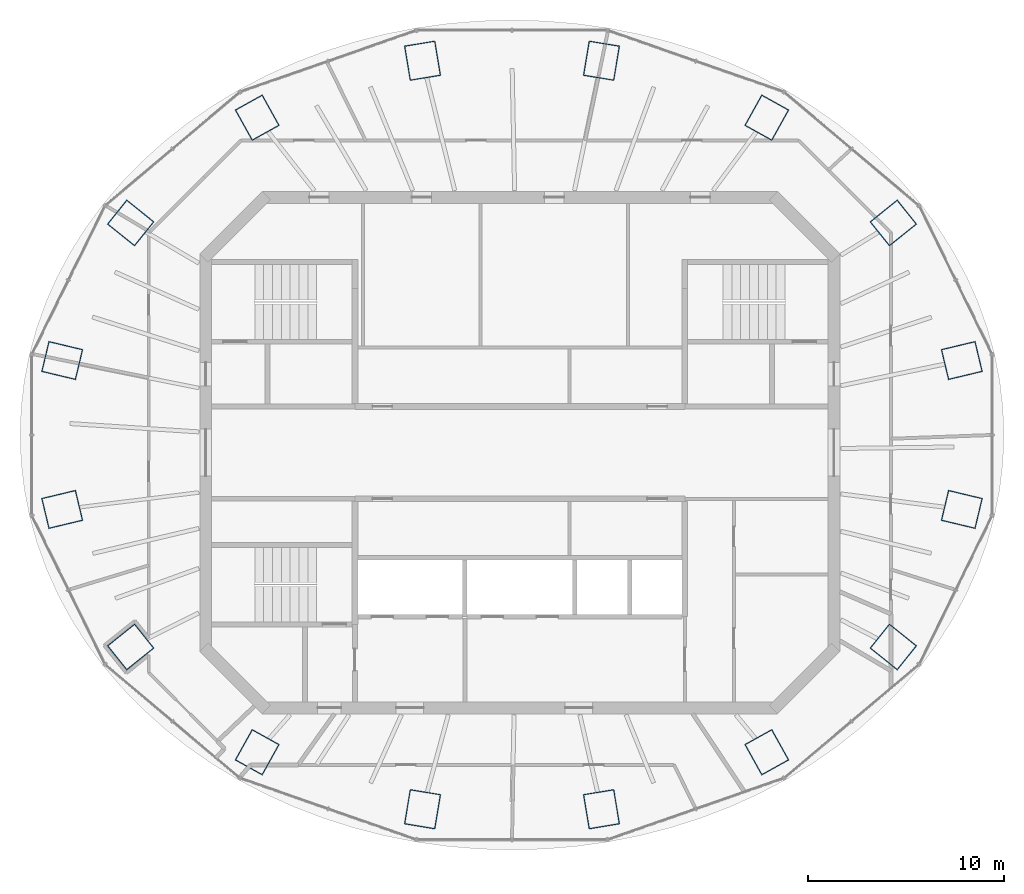
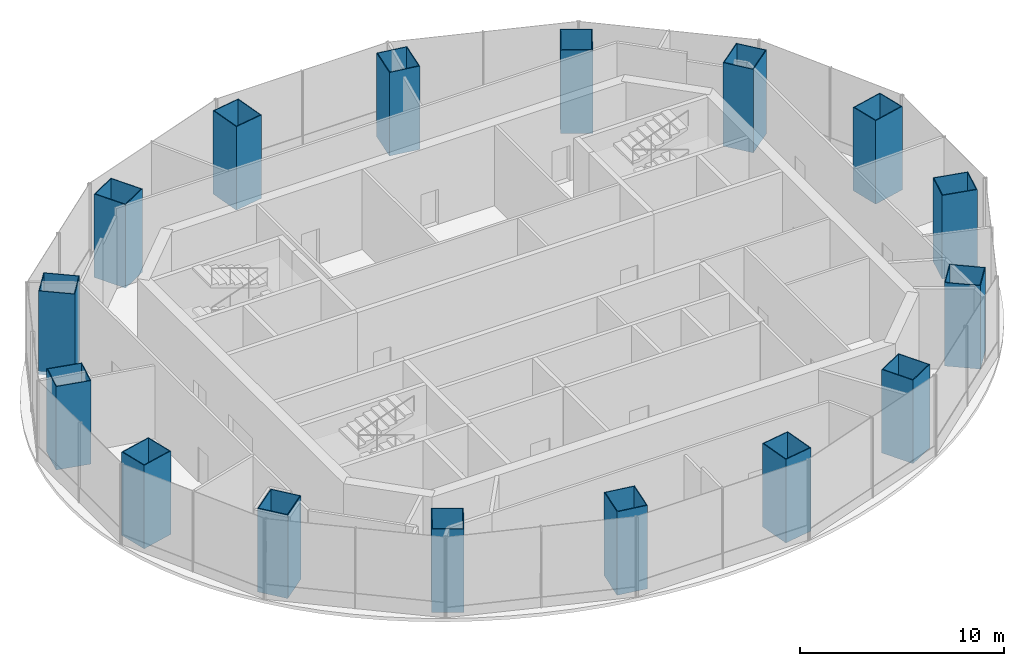
# One storey, part 1 of 12: 16 columns.
"""IFC4 building model written with IfcOpenShell, lengths in metres."""

import ifcopenshell
import ifcopenshell.guid

model = None  # the IFC model being written
_history = None  # IfcOwnerHistory: only IFC2X3 demands one
_inside = {}  # id of a spatial element -> (the spatial element, [elements in it])
_under = {}  # id of a project, library or spatial element -> (it, [spatial elements below it])
_declared = {}  # id of a project -> (the project, [libraries it declares])
_typed = {}  # id of a type object -> (the type object, [elements of that type])
_made_of = {}  # id of a material, layer set ... -> (it, [elements and type objects made of it])


def new_model(schema):
    """Start an empty IFC model of exactly this schema.

    Asked for "IFC4X3", IfcOpenShell would pick the latest addendum, in which some entities
    have other attributes; the version numbers below select the first issue.
    IFC2X3 requires an IfcOwnerHistory on every rooted entity: one is made here for all.
    """
    global model, _history
    if schema == "IFC4X3":
        model = ifcopenshell.file(schema_version=(4, 3, 0, 0))
    else:
        model = ifcopenshell.file(schema=schema)
    _inside.clear()
    _under.clear()
    _declared.clear()
    _typed.clear()
    _made_of.clear()
    _history = None
    if model.schema == "IFC2X3":
        org = make("IfcOrganization", Name="unknown")
        user = make(
            "IfcPersonAndOrganization",
            ThePerson=make("IfcPerson", FamilyName="unknown"),
            TheOrganization=org,
        )
        app = make(
            "IfcApplication",
            ApplicationDeveloper=org,
            Version="unknown",
            ApplicationFullName="unknown",
            ApplicationIdentifier="unknown",
        )
        _history = make(
            "IfcOwnerHistory",
            OwningUser=user,
            OwningApplication=app,
            ChangeAction="ADDED",
            CreationDate=0,
        )
    return model


def make(cls, **values):
    """One entity of the class cls with the attributes given. An attribute that is None is left unset."""
    return model.create_entity(
        cls, **{name: value for name, value in values.items() if value is not None}
    )


def rooted(cls, **values):
    """An entity with a GlobalId (a new one), such as an element, a storey or a relation."""
    return make(cls, GlobalId=ifcopenshell.guid.new(), OwnerHistory=_history, **values)


def si_unit(unit_type, name, prefix=None):
    """IfcSIUnit, for example si_unit("LENGTHUNIT", "METRE", prefix="MILLI")."""
    return make("IfcSIUnit", UnitType=unit_type, Prefix=prefix, Name=name)


def assignment(units):
    """IfcUnitAssignment: the units of a project."""
    return None if units is None else make("IfcUnitAssignment", Units=units)


def point(xyz):
    """IfcCartesianPoint."""
    return None if xyz is None else make("IfcCartesianPoint", Coordinates=xyz)


def direction(xyz):
    """IfcDirection."""
    return None if xyz is None else make("IfcDirection", DirectionRatios=xyz)


def frame(location, z_axis=None, x_axis=None):
    """IfcAxis2Placement3D, a coordinate frame: its origin and axes. An axis left out is left unset."""
    return make(
        "IfcAxis2Placement3D",
        Location=point(location),
        Axis=direction(z_axis),
        RefDirection=direction(x_axis),
    )


def frame_2d(location, x_axis=None):
    """IfcAxis2Placement2D, a coordinate frame in the plane: its origin and x axis."""
    return make(
        "IfcAxis2Placement2D", Location=point(location), RefDirection=direction(x_axis)
    )


def origin():
    """The frame at (0, 0, 0) with its axes left unset."""
    return frame((0.0, 0.0, 0.0))


def origin_2d():
    """The frame at (0, 0) in the plane with its x axis left unset."""
    return frame_2d((0.0, 0.0))


def place(relative_to, where):
    """IfcLocalPlacement: puts the frame where relative to a parent placement (None: the world)."""
    return make(
        "IfcLocalPlacement", PlacementRelTo=relative_to, RelativePlacement=where
    )


def context(
    kind, dimensions, precision=None, world=None, true_north=None, identifier=None
):
    """IfcGeometricRepresentationContext, for example the 3D "Model" context."""
    return make(
        "IfcGeometricRepresentationContext",
        ContextIdentifier=identifier,
        ContextType=kind,
        CoordinateSpaceDimension=dimensions,
        Precision=precision,
        WorldCoordinateSystem=world,
        TrueNorth=true_north,
    )


def subcontext(parent, identifier, kind, view, scale=None):
    """IfcGeometricRepresentationSubContext, for example "Body" below "Model"."""
    return make(
        "IfcGeometricRepresentationSubContext",
        ContextIdentifier=identifier,
        ContextType=kind,
        ParentContext=parent,
        TargetScale=scale,
        TargetView=view,
    )


def project(units=None, contexts=None):
    """IfcProject with its units and contexts."""
    return rooted(
        "IfcProject",
        Name="project",
        RepresentationContexts=contexts,
        UnitsInContext=assignment(units),
    )


def spatial(cls, under=None, at=None, **own):
    """A site, building, storey or space (cls), placed at a placement, below another one or the project."""
    s = rooted(cls, ObjectPlacement=at, **own)
    if under is not None:
        _under.setdefault(under.id(), (under, []))[1].append(s)
    return s


def profile(cls, at=None, kind="AREA", **sizes):
    """A parametric profile (cls). Its sizes go by their IFC names, for example OverallWidth=200.0."""
    return make(cls, ProfileType=kind, Position=at, **sizes)


def rectangle(**sizes):
    """IfcRectangleProfileDef."""
    return profile("IfcRectangleProfileDef", **sizes)


def hollow_rectangle(**sizes):
    """IfcRectangleHollowProfileDef."""
    return profile("IfcRectangleHollowProfileDef", **sizes)


def extrude(swept, where, along, depth):
    """IfcExtrudedAreaSolid: the profile swept, set in the frame where, extruded along a direction by depth."""
    return make(
        "IfcExtrudedAreaSolid",
        SweptArea=swept,
        Position=where,
        ExtrudedDirection=direction(along),
        Depth=depth,
    )


def shape(context_of_items, identifier, shape_type, items):
    """IfcShapeRepresentation: the items that make up one representation, for example the "Body"."""
    return make(
        "IfcShapeRepresentation",
        ContextOfItems=context_of_items,
        RepresentationIdentifier=identifier,
        RepresentationType=shape_type,
        Items=items,
    )


def material(Name=None, Category=None):
    """IfcMaterial."""
    return make("IfcMaterial", Name=Name, Category=Category)


def material_profile(
    of_material, cross_section, Name=None, Category=None, Priority=None
):
    """IfcMaterialProfile: a cross section and its material."""
    return make(
        "IfcMaterialProfile",
        Name=Name,
        Material=of_material,
        Profile=cross_section,
        Priority=Priority,
        Category=Category,
    )


def profile_set(profiles, Name=None, composite=None):
    """IfcMaterialProfileSet."""
    return make(
        "IfcMaterialProfileSet",
        Name=Name,
        MaterialProfiles=profiles,
        CompositeProfile=composite,
    )


def made_of(thing, what):
    """Note that an element or type object is made of a material, layer set ...; save() writes the relation."""
    if what is not None:
        _made_of.setdefault(what.id(), (what, []))[1].append(thing)
    return thing


def type_object(cls, material=None, **own):
    """A type object (cls), such as IfcWallType, which elements share."""
    return made_of(rooted(cls, **own), material)


def element(
    cls,
    number,
    at=None,
    inside=None,
    cuts=None,
    type_object=None,
    material=None,
    context=None,
    identifier="Body",
    shape_type=None,
    held_by="IfcProductDefinitionShape",
    body=None,
    shapes=None,
    **own,
):
    """One element of the class cls, such as IfcWall. Its Tag is "e" and its number.

    at: its placement. inside: the storey or other place that contains it. cuts: it is an
    opening in that element (IfcRelVoidsElement). A single representation is given by context,
    identifier, shape_type and body (its items); several are given by shapes. held_by: the class
    of the entity that holds the representations. save() writes the other relations.
    """
    e = rooted(cls, Tag="e%d" % number, ObjectPlacement=at, **own)
    if body is not None:
        shapes = [shape(context, identifier, shape_type, body)]
    if shapes is not None:
        e.Representation = make(held_by, Representations=shapes)
    if inside is not None:
        _inside.setdefault(inside.id(), (inside, []))[1].append(e)
    if cuts is not None:
        rooted(
            "IfcRelVoidsElement", RelatingBuildingElement=cuts, RelatedOpeningElement=e
        )
    if type_object is not None:
        _typed.setdefault(type_object.id(), (type_object, []))[1].append(e)
    return made_of(e, material)


def aggregate(whole, parts):
    """IfcRelAggregates: a whole, such as a stair, and the parts it consists of."""
    return rooted("IfcRelAggregates", RelatingObject=whole, RelatedObjects=parts)


def save(model, path):
    """Write the relations noted so far, then the file.

    IfcRelAggregates (storeys below a building ...), IfcRelContainedInSpatialStructure (elements
    in a storey), IfcRelDefinesByType, IfcRelAssociatesMaterial and IfcRelDeclares: one each for
    every whole, place, type object, material and project.
    """
    for whole, parts in _under.values():
        aggregate(whole, parts)
    for where, things in _inside.values():
        rooted(
            "IfcRelContainedInSpatialStructure",
            RelatedElements=things,
            RelatingStructure=where,
        )
    for kind, things in _typed.values():
        rooted("IfcRelDefinesByType", RelatedObjects=things, RelatingType=kind)
    for what, things in _made_of.values():
        rooted("IfcRelAssociatesMaterial", RelatedObjects=things, RelatingMaterial=what)
    for by, libraries in _declared.values():
        rooted("IfcRelDeclares", RelatingContext=by, RelatedDefinitions=libraries)
    model.write(path)


model = new_model("IFC4")

# Units and contexts
model_context = context("Model", 3, precision=1e-05, world=origin(), true_north=direction((0.0, 1.0)))
body_context = subcontext(model_context, "Body", "Model", "MODEL_VIEW")
ifc_project = project(units=[si_unit("LENGTHUNIT", "METRE"), si_unit("AREAUNIT", "SQUARE_METRE"), si_unit("VOLUMEUNIT", "CUBIC_METRE"), si_unit("PLANEANGLEUNIT", "RADIAN"), si_unit("MASSUNIT", "GRAM", prefix="KILO")], contexts=[model_context])

# Site, building, storey
site_placement = place(None, origin())
site = spatial("IfcSite", under=ifc_project, at=site_placement, CompositionType="ELEMENT")
building_placement = place(site_placement, origin())
building = spatial("IfcBuilding", under=site, at=building_placement, Name="Marenthal Gate Tower", CompositionType="ELEMENT")
storey_placement = place(building_placement, frame((0.0, 0.0, 413.550048828125)))
storey = spatial("IfcBuildingStorey", under=building, at=storey_placement, Name="L93", CompositionType="ELEMENT", Elevation=413.550048828125)

# Columns
ifc_material_1 = material(Name="Steel S460", Category="steel")
ifc_material_profile_1 = material_profile(ifc_material_1, hollow_rectangle(XDim=1.60009765625, YDim=1.800048828125, WallThickness=0.044921875, at=origin_2d()), Name="CFT BOX 1800X1600X45")
ifc_material_2 = material(Name="Concrete 70 MPa", Category="concrete")
ifc_material_profile_2 = material_profile(ifc_material_2, rectangle(XDim=1.510009765625, YDim=1.7099609375, at=origin_2d()), Name="CFT BOX 1800X1600X45 INFILL")
ifc_profile_set = profile_set([ifc_material_profile_1, ifc_material_profile_2], Name="Steel S460 shell, Concrete 70 MPa infill")
column_type = type_object("IfcColumnType", Name="CFT BOX 1800X1600X45", PredefinedType="COLUMN", material=ifc_profile_set)
for number, where, z_axis, x_axis, name in (
    (1, (22.50927734375, 4.691650390625, -0.199951171875), (0.0, 0.0, 1.0), (0.232511848327, -0.972593563822, 0.0), "COL-L93-01"),
    (2, (19.021484375, 11.697509765625, -0.199951171875), (0.0, 0.0, 1.0), (0.62614531515, -0.779706383401, 0.0), "COL-L93-02"),
    (3, (12.576904296875, 17.0595703125, -0.199951171875), (0.0, 0.0, 1.0), (0.874008090846, -0.485911367572, 0.0), "COL-L93-03"),
    (4, (4.156982421875, 19.961669921875, -0.199951171875), (0.0, 0.0, 1.0), (0.986579287107, -0.163282914755, 0.0), "COL-L93-04"),
    (5, (-4.956787109375, 19.961669921875, -0.199951171875), (0.0, 0.0, 1.0), (0.986579287107, 0.163282914755, 0.0), "COL-L93-05"),
    (6, (-13.376953125, 17.0595703125, -0.199951171875), (0.0, 0.0, 1.0), (0.874008090846, 0.485911367572, 0.0), "COL-L93-06"),
    (7, (-19.821533203125, 11.697509765625, -0.199951171875), (0.0, 0.0, 1.0), (0.62614531515, 0.779706383401, 0.0), "COL-L93-07"),
    (8, (-23.30908203125, 4.691650390625, -0.199951171875), (0.0, 0.0, 1.0), (0.232511848327, 0.972593563822, 0.0), "COL-L93-08"),
    (9, (-23.30908203125, -2.8916015625, -0.199951171875), (0.0, 0.0, 1.0), (-0.232511848327, 0.972593563822, 0.0), "COL-L93-09"),
    (10, (-19.821533203125, -9.8974609375, -0.199951171875), (0.0, 0.0, 1.0), (-0.62614531515, 0.779706383401, 0.0), "COL-L93-10"),
    (11, (-13.376953125, -15.259521484375, -0.199951171875), (0.0, 0.0, 1.0), (-0.874008090846, 0.485911367572, 0.0), "COL-L93-11"),
    (12, (-4.956787109375, -18.16162109375, -0.199951171875), (0.0, 0.0, 1.0), (-0.986579287107, 0.163282914755, 0.0), "COL-L93-12"),
    (13, (4.156982421875, -18.16162109375, -0.199951171875), (0.0, 0.0, 1.0), (-0.986579287107, -0.163282914755, 0.0), "COL-L93-13"),
    (14, (12.576904296875, -15.259521484375, -0.199951171875), (0.0, 0.0, 1.0), (-0.874008090846, -0.485911367572, 0.0), "COL-L93-14"),
    (15, (19.021484375, -9.8974609375, -0.199951171875), (0.0, 0.0, 1.0), (-0.62614531515, -0.779706383401, 0.0), "COL-L93-15"),
    (16, (22.50927734375, -2.8916015625, -0.199951171875), (0.0, 0.0, 1.0), (-0.232511848327, -0.972593563822, 0.0), "COL-L93-16"),
):
    element("IfcColumn", number, at=place(storey_placement, frame(where, z_axis=z_axis, x_axis=x_axis)), inside=storey, type_object=column_type, Name=name, PredefinedType="COLUMN", context=body_context, shape_type="SweptSolid", body=[
        extrude(hollow_rectangle(XDim=1.60009765625, YDim=1.800048828125, WallThickness=0.044921875, at=origin_2d()), origin(), (0.0, 0.0, 1.0), 5.0),
    ])

save(model, "model.ifc")
